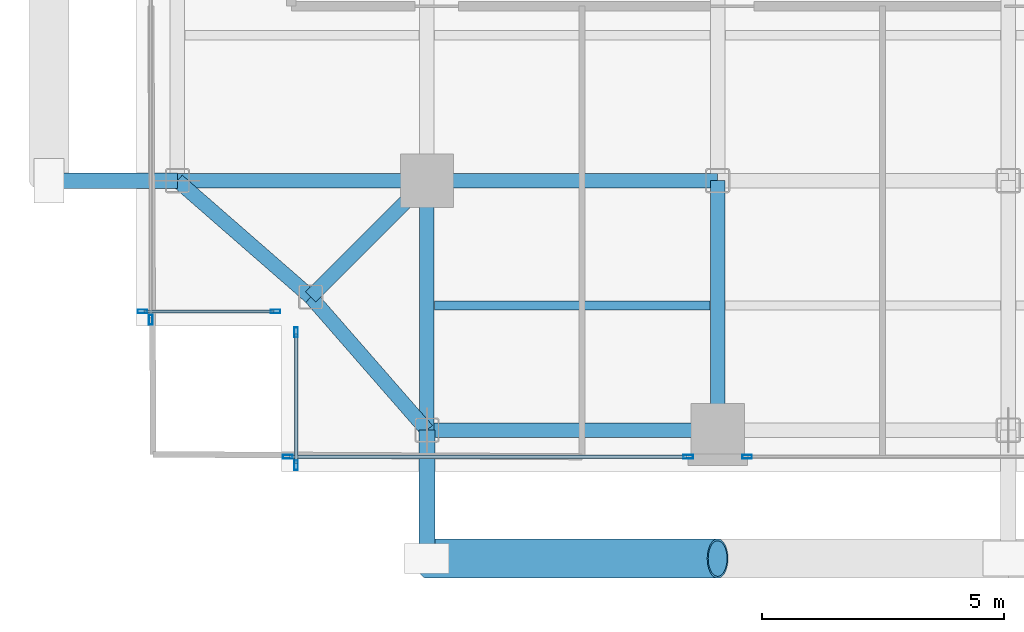
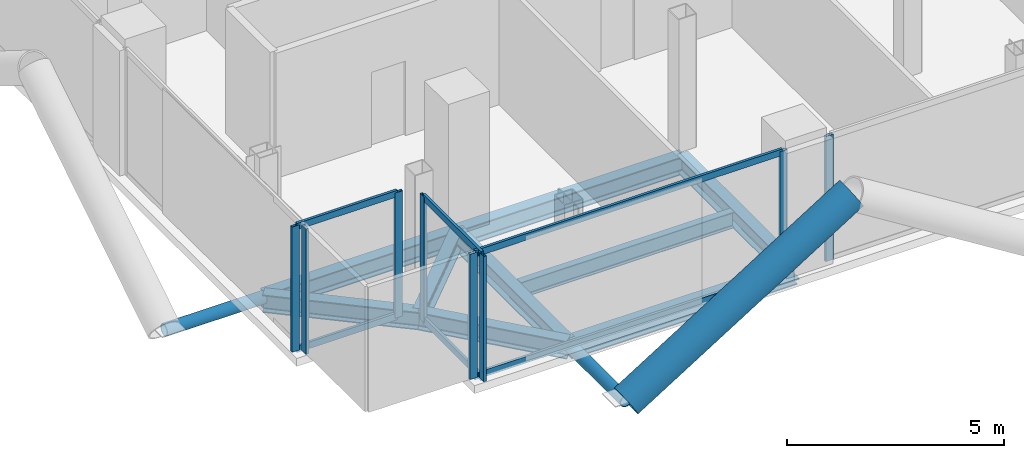
# One storey, part 2 of 28: 17 members, 9 beams, 5 elements without a shape of their own.
"""IFC4 building model written with IfcOpenShell, lengths in metres."""

from ifc_helpers import new_model, si_unit, direction, frame, origin, origin_2d, place, context, subcontext, project, spatial, hollow_rectangle, hollow_circle, i_section, extrude, material, layer, layer_set, material_profile, profile_set, type_object, element, aggregate, save


model = new_model("IFC4")

# Units and contexts
model_context = context("Model", 3, precision=1e-05, world=origin(), true_north=direction((0.0, 1.0)))
body_context = subcontext(model_context, "Body", "Model", "MODEL_VIEW")
ifc_project = project(units=[si_unit("LENGTHUNIT", "METRE"), si_unit("AREAUNIT", "SQUARE_METRE"), si_unit("VOLUMEUNIT", "CUBIC_METRE"), si_unit("PLANEANGLEUNIT", "RADIAN"), si_unit("MASSUNIT", "GRAM", prefix="KILO"), si_unit("THERMODYNAMICTEMPERATUREUNIT", "KELVIN"), si_unit("POWERUNIT", "WATT")], contexts=[model_context])

# Site, building, storey
site_placement = place(None, origin())
site = spatial("IfcSite", under=ifc_project, at=site_placement, CompositionType="ELEMENT")
building_placement = place(site_placement, origin())
building = spatial("IfcBuilding", under=site, at=building_placement, Name="Svarakhadi Broadcast Tower", CompositionType="ELEMENT")
storey_placement = place(building_placement, frame((0.0, 0.0, 149.39990234375)))
storey = spatial("IfcBuildingStorey", under=building, at=storey_placement, Name="L36", CompositionType="ELEMENT", Elevation=149.39990234375)

# Beam
ifc_material_1 = material(Name="Steel S355J2 (IS 2062 E350C)", Category="steel")
ifc_material_profile_1 = material_profile(ifc_material_1, i_section(OverallWidth=0.18994140625, OverallDepth=0.449951171875, WebThickness=0.009521484375, FlangeThickness=0.0146484375, FilletRadius=0.02099609375, at=origin_2d()), Name="NPB 450x190x78")
ifc_profile_set_1 = profile_set([ifc_material_profile_1], Name="Steel S355J2 (IS 2062 E350C)")
beam_type_1 = type_object("IfcBeamType", Name="Beam_NPB450", PredefinedType="BEAM", material=ifc_profile_set_1)
beam_1_placement = place(storey_placement, frame((6.159912109375, 3.425048828125, -0.449951171875), z_axis=(1.0, 0.0, 0.0), x_axis=(0.0, 1.0, 0.0)))
element("IfcBeam", 1, at=beam_1_placement, inside=storey, type_object=beam_type_1, Name="L36 Secondary Composite Beam SB006", PredefinedType="BEAM", context=body_context, shape_type="SweptSolid", body=[
    extrude(i_section(OverallWidth=0.18994140625, OverallDepth=0.449951171875, WebThickness=0.009521484375, FlangeThickness=0.0146484375, FilletRadius=0.02099609375, at=origin_2d()), origin(), (0.0, 0.0, 1.0), 5.68017578125),
])

# Curtain wall, members
ifc_material_2 = material(Name="Anodised Bronze Aluminium AA 6063-T6", Category="aluminium")
ifc_layer = layer(ifc_material_2, 0.199951171875)
ifc_layer_set = layer_set([ifc_layer], Name="Anodised Bronze Aluminium AA 6063-T6")
curtain_wall_type = type_object("IfcCurtainWallType", Name="CW_Sys_03", PredefinedType="NOTDEFINED", material=ifc_layer_set)
curtain_wall_1_placement = place(storey_placement, origin())
curtain_wall_1 = element("IfcCurtainWall", 2, at=curtain_wall_1_placement, inside=storey, type_object=curtain_wall_type, Name="L36 Unitised Facade Curtain Wall 01", PredefinedType="NOTDEFINED")
ifc_material_profile_2 = material_profile(ifc_material_2, hollow_rectangle(XDim=0.074951171875, YDim=0.199951171875, WallThickness=0.005615234375, at=origin_2d()), Name="ALU MULLION 200x75x6")
ifc_profile_set_2 = profile_set([ifc_material_profile_2], Name="Anodised Bronze Aluminium AA 6063-T6")
member_type_1 = type_object("IfcMemberType", Name="CW_Sys_03_Mul", PredefinedType="MULLION", material=ifc_profile_set_2)
member_1_placement = place(storey_placement, frame((2.87255859375, 3.300048828125, 0.0), z_axis=(0.0, 0.0, 1.0), x_axis=(0.0, -1.0, 0.0)))
member_1 = element("IfcMember", 3, at=member_1_placement, type_object=member_type_1, Name="CW-03 mullion 1", PredefinedType="MULLION", context=body_context, shape_type="SweptSolid", body=[
    extrude(hollow_rectangle(XDim=0.074951171875, YDim=0.199951171875, WallThickness=0.005615234375, at=origin_2d()), origin(), (0.0, 0.0, 1.0), 3.525146484375),
])
member_2_placement = place(storey_placement, frame((0.12744140625, 3.300048828125, 0.0), z_axis=(0.0, 0.0, 1.0), x_axis=(0.0, -1.0, 0.0)))
member_2 = element("IfcMember", 4, at=member_2_placement, type_object=member_type_1, Name="CW-03 mullion 2", PredefinedType="MULLION", context=body_context, shape_type="SweptSolid", body=[
    extrude(hollow_rectangle(XDim=0.074951171875, YDim=0.199951171875, WallThickness=0.005615234375, at=origin_2d()), origin(), (0.0, 0.0, 1.0), 3.525146484375),
])

# Curtain wall, member
curtain_wall_2_placement = place(storey_placement, origin())
curtain_wall_2 = element("IfcCurtainWall", 5, at=curtain_wall_2_placement, inside=storey, type_object=curtain_wall_type, Name="L36 West Curtain Wall 02 Bay 1", PredefinedType="NOTDEFINED")
member_3_placement = place(storey_placement, frame((0.300048828125, 3.12744140625, 0.0), z_axis=(0.0, 0.0, 1.0), x_axis=(-1.0, 0.0, 0.0)))
member_3 = element("IfcMember", 6, at=member_3_placement, type_object=member_type_1, Name="CW-03 mullion 1", PredefinedType="MULLION", context=body_context, shape_type="SweptSolid", body=[
    extrude(hollow_rectangle(XDim=0.074951171875, YDim=0.199951171875, WallThickness=0.005615234375, at=origin_2d()), origin(), (0.0, 0.0, 1.0), 3.525146484375),
])
aggregate(curtain_wall_2, [member_3])

curtain_wall_3_placement = place(storey_placement, origin())
curtain_wall_3 = element("IfcCurtainWall", 7, at=curtain_wall_3_placement, inside=storey, type_object=curtain_wall_type, Name="L36 South Curtain Wall 17 Bay 3", PredefinedType="NOTDEFINED")
member_4_placement = place(storey_placement, frame((12.607421875, 0.300048828125, 0.0), z_axis=(0.0, 0.0, 1.0), x_axis=(0.0, -1.0, 0.0)))
member_4 = element("IfcMember", 8, at=member_4_placement, type_object=member_type_1, Name="CW-03 mullion 2", PredefinedType="MULLION", context=body_context, shape_type="SweptSolid", body=[
    extrude(hollow_rectangle(XDim=0.074951171875, YDim=0.199951171875, WallThickness=0.005615234375, at=origin_2d()), origin(), (0.0, 0.0, 1.0), 3.525146484375),
])
aggregate(curtain_wall_3, [member_4])

# Curtain wall, members
curtain_wall_4_placement = place(storey_placement, origin())
curtain_wall_4 = element("IfcCurtainWall", 9, at=curtain_wall_4_placement, inside=storey, type_object=curtain_wall_type, Name="L36 South Curtain Wall 17 Bay 4", PredefinedType="NOTDEFINED")
member_5_placement = place(storey_placement, frame((11.392578125, 0.300048828125, 0.0), z_axis=(0.0, 0.0, 1.0), x_axis=(0.0, -1.0, 0.0)))
member_5 = element("IfcMember", 10, at=member_5_placement, type_object=member_type_1, Name="CW-03 mullion 1", PredefinedType="MULLION", context=body_context, shape_type="SweptSolid", body=[
    extrude(hollow_rectangle(XDim=0.074951171875, YDim=0.199951171875, WallThickness=0.005615234375, at=origin_2d()), origin(), (0.0, 0.0, 1.0), 3.525146484375),
])
member_6_placement = place(storey_placement, frame((3.12744140625, 0.300048828125, 0.0), z_axis=(0.0, 0.0, 1.0), x_axis=(0.0, -1.0, 0.0)))
member_6 = element("IfcMember", 11, at=member_6_placement, type_object=member_type_1, Name="CW-03 mullion 2", PredefinedType="MULLION", context=body_context, shape_type="SweptSolid", body=[
    extrude(hollow_rectangle(XDim=0.074951171875, YDim=0.199951171875, WallThickness=0.005615234375, at=origin_2d()), origin(), (0.0, 0.0, 1.0), 3.525146484375),
])

curtain_wall_5_placement = place(storey_placement, origin())
curtain_wall_5 = element("IfcCurtainWall", 12, at=curtain_wall_5_placement, inside=storey, type_object=curtain_wall_type, Name="L36 Unitised Facade Curtain Wall 18", PredefinedType="NOTDEFINED")
member_7_placement = place(storey_placement, frame((3.300048828125, 0.12744140625, 0.0), z_axis=(0.0, 0.0, 1.0), x_axis=(-1.0, 0.0, 0.0)))
member_7 = element("IfcMember", 13, at=member_7_placement, type_object=member_type_1, Name="CW-03 mullion 1", PredefinedType="MULLION", context=body_context, shape_type="SweptSolid", body=[
    extrude(hollow_rectangle(XDim=0.074951171875, YDim=0.199951171875, WallThickness=0.005615234375, at=origin_2d()), origin(), (0.0, 0.0, 1.0), 3.525146484375),
])
member_8_placement = place(storey_placement, frame((3.300048828125, 2.87255859375, 0.0), z_axis=(0.0, 0.0, 1.0), x_axis=(-1.0, 0.0, 0.0)))
member_8 = element("IfcMember", 14, at=member_8_placement, type_object=member_type_1, Name="CW-03 mullion 2", PredefinedType="MULLION", context=body_context, shape_type="SweptSolid", body=[
    extrude(hollow_rectangle(XDim=0.074951171875, YDim=0.199951171875, WallThickness=0.005615234375, at=origin_2d()), origin(), (0.0, 0.0, 1.0), 3.525146484375),
])

# Member
ifc_material_profile_3 = material_profile(ifc_material_2, hollow_rectangle(XDim=0.070068359375, YDim=0.18505859375, WallThickness=0.0048828125, at=origin_2d()), Name="ALU TRANSOM 185x70x5")
ifc_profile_set_3 = profile_set([ifc_material_profile_3], Name="Anodised Bronze Aluminium AA 6063-T6")
member_type_2 = type_object("IfcMemberType", Name="CW_Sys_03_Trn", PredefinedType="USERDEFINED", material=ifc_profile_set_3)
member_9_placement = place(storey_placement, frame((2.8349609375, 3.300048828125, 0.03515625), z_axis=(-1.0, 0.0, 0.0), x_axis=(0.0, -1.0, 0.0)))
member_9 = element("IfcMember", 15, at=member_9_placement, type_object=member_type_2, Name="CW-03 transom 1.1", ObjectType="TRANSOM", PredefinedType="USERDEFINED", context=body_context, shape_type="SweptSolid", body=[
    extrude(hollow_rectangle(XDim=0.070068359375, YDim=0.18505859375, WallThickness=0.0048828125, at=origin_2d()), origin(), (0.0, 0.0, 1.0), 2.669921875),
])

member_10_placement = place(storey_placement, frame((2.8349609375, 3.300048828125, 3.489990234375), z_axis=(-1.0, 0.0, 0.0), x_axis=(0.0, -1.0, 0.0)))
member_10 = element("IfcMember", 16, at=member_10_placement, type_object=member_type_2, Name="CW-03 transom 1.2", ObjectType="TRANSOM", PredefinedType="USERDEFINED", context=body_context, shape_type="SweptSolid", body=[
    extrude(hollow_rectangle(XDim=0.070068359375, YDim=0.18505859375, WallThickness=0.0048828125, at=origin_2d()), origin(), (0.0, 0.0, 1.0), 2.669921875),
])

aggregate(curtain_wall_1, [member_1, member_2, member_9, member_10])

member_11_placement = place(storey_placement, frame((11.35498046875, 0.300048828125, 0.03515625), z_axis=(-1.0, 0.0, 0.0), x_axis=(0.0, -1.0, 0.0)))
member_11 = element("IfcMember", 17, at=member_11_placement, type_object=member_type_2, Name="CW-03 transom 1.1", ObjectType="TRANSOM", PredefinedType="USERDEFINED", context=body_context, shape_type="SweptSolid", body=[
    extrude(hollow_rectangle(XDim=0.070068359375, YDim=0.18505859375, WallThickness=0.0048828125, at=origin_2d()), origin(), (0.0, 0.0, 1.0), 8.18994140625),
])

member_12_placement = place(storey_placement, frame((11.35498046875, 0.300048828125, 3.489990234375), z_axis=(-1.0, 0.0, 0.0), x_axis=(0.0, -1.0, 0.0)))
member_12 = element("IfcMember", 18, at=member_12_placement, type_object=member_type_2, Name="CW-03 transom 1.2", ObjectType="TRANSOM", PredefinedType="USERDEFINED", context=body_context, shape_type="SweptSolid", body=[
    extrude(hollow_rectangle(XDim=0.070068359375, YDim=0.18505859375, WallThickness=0.0048828125, at=origin_2d()), origin(), (0.0, 0.0, 1.0), 8.18994140625),
])

aggregate(curtain_wall_4, [member_5, member_6, member_11, member_12])

member_13_placement = place(storey_placement, frame((3.300048828125, 0.1650390625, 0.03515625), z_axis=(0.0, 1.0, 0.0), x_axis=(-1.0, 0.0, 0.0)))
member_13 = element("IfcMember", 19, at=member_13_placement, type_object=member_type_2, Name="CW-03 transom 1.1", ObjectType="TRANSOM", PredefinedType="USERDEFINED", context=body_context, shape_type="SweptSolid", body=[
    extrude(hollow_rectangle(XDim=0.070068359375, YDim=0.18505859375, WallThickness=0.0048828125, at=origin_2d()), origin(), (0.0, 0.0, 1.0), 2.669921875),
])

member_14_placement = place(storey_placement, frame((3.300048828125, 0.1650390625, 3.489990234375), z_axis=(0.0, 1.0, 0.0), x_axis=(-1.0, 0.0, 0.0)))
member_14 = element("IfcMember", 20, at=member_14_placement, type_object=member_type_2, Name="CW-03 transom 1.2", ObjectType="TRANSOM", PredefinedType="USERDEFINED", context=body_context, shape_type="SweptSolid", body=[
    extrude(hollow_rectangle(XDim=0.070068359375, YDim=0.18505859375, WallThickness=0.0048828125, at=origin_2d()), origin(), (0.0, 0.0, 1.0), 2.669921875),
])

aggregate(curtain_wall_5, [member_7, member_8, member_13, member_14])

# Members
ifc_material_3 = material(Name="Steel S460ML (IS 2062 E450BR)", Category="steel")
ifc_material_profile_4 = material_profile(ifc_material_3, hollow_circle(Radius=0.406494140625, WallThickness=0.0400390625, at=origin_2d()), Name="CHS 813x40")
ifc_profile_set_4 = profile_set([ifc_material_profile_4], Name="Steel S460ML (IS 2062 E450BR)")
member_type_3 = type_object("IfcMemberType", Name="Exo_Brace_CHS813", PredefinedType="BRACE", material=ifc_profile_set_4)
member_15_placement = place(storey_placement, frame((6.0, -1.800048828125, -0.386962890625), z_axis=(0.847998304005, 0.0, 0.529998940003), x_axis=(0.0, 1.0, 0.0)))
element("IfcMember", 21, at=member_15_placement, inside=storey, type_object=member_type_3, Name="L36 Exposed Bronze Exoskeleton Diagonal S01", PredefinedType="BRACE", context=body_context, shape_type="SweptSolid", body=[
    extrude(hollow_circle(Radius=0.406494140625, WallThickness=0.0400390625, at=origin_2d()), origin(), (0.0, 0.0, 1.0), 7.075439453125),
])
ifc_material_profile_5 = material_profile(ifc_material_3, hollow_circle(Radius=0.161865234375, WallThickness=0.01611328125, at=origin_2d()), Name="CHS 323.9x16")
ifc_profile_set_5 = profile_set([ifc_material_profile_5], Name="Steel S460ML (IS 2062 E450BR)")
member_type_4 = type_object("IfcMemberType", Name="Exo_Radial_Strut_Z2", PredefinedType="STRUT", material=ifc_profile_set_5)
for number, where, z_axis, x_axis, name in (
    (22, (6.0, -1.800048828125, -0.386962890625), (0.0, 1.0, 0.0), (-1.0, 0.0, 0.0), "L36 Exoskeleton Radial Tie Strut S01"),
    (23, (-1.800048828125, 6.0, -0.386962890625), (1.0, 0.0, 0.0), (0.0, 1.0, 0.0), "L36 Exoskeleton Radial Tie Strut W05"),
):
    element("IfcMember", number, at=place(storey_placement, frame(where, z_axis=z_axis, x_axis=x_axis)), inside=storey, type_object=member_type_4, Name=name, PredefinedType="STRUT", context=body_context, shape_type="SweptSolid", body=[
        extrude(hollow_circle(Radius=0.161865234375, WallThickness=0.01611328125, at=origin_2d()), origin(), (0.0, 0.0, 1.0), 2.650146484375),
    ])

# Beams
ifc_material_profile_6 = material_profile(ifc_material_1, i_section(OverallWidth=0.300048828125, OverallDepth=0.5, WebThickness=0.014404296875, FlangeThickness=0.028076171875, FilletRadius=0.027099609375, at=origin_2d()), Name="WPB 500x300x187")
ifc_profile_set_6 = profile_set([ifc_material_profile_6], Name="Steel S355J2 (IS 2062 E350C)")
beam_type_2 = type_object("IfcBeamType", Name="Girder_WPB500", PredefinedType="USERDEFINED", material=ifc_profile_set_6)
beam_2_placement = place(storey_placement, frame((3.60009765625, 3.60009765625, -0.474853515625), z_axis=(0.707106781187, 0.707106781187, 0.0), x_axis=(-0.707106781187, 0.707106781187, 0.0)))
element("IfcBeam", 24, at=beam_2_placement, inside=storey, type_object=beam_type_2, Name="L36 Corner Tie Girder G001", ObjectType="GIRDER", PredefinedType="USERDEFINED", context=body_context, shape_type="SweptSolid", body=[
    extrude(i_section(OverallWidth=0.300048828125, OverallDepth=0.5, WebThickness=0.014404296875, FlangeThickness=0.028076171875, FilletRadius=0.027099609375, at=origin_2d()), origin(), (0.0, 0.0, 1.0), 3.39404296875),
])
for number, where, z_axis, x_axis, name in (
    (25, (3.60009765625, 3.60009765625, -0.474853515625), (-0.753437912176, 0.657519058655, 0.0), (-0.657519058655, -0.753437912176, 0.0), "L36 Corner Tie Girder G002"),
    (26, (3.60009765625, 3.60009765625, -0.474853515625), (0.657519058655, -0.753437912176, 0.0), (0.753437912176, 0.657519058655, 0.0), "L36 Corner Tie Girder G003"),
):
    element("IfcBeam", number, at=place(storey_placement, frame(where, z_axis=z_axis, x_axis=x_axis)), inside=storey, type_object=beam_type_2, Name=name, ObjectType="GIRDER", PredefinedType="USERDEFINED", context=body_context, shape_type="SweptSolid", body=[
        extrude(i_section(OverallWidth=0.300048828125, OverallDepth=0.5, WebThickness=0.014404296875, FlangeThickness=0.028076171875, FilletRadius=0.027099609375, at=origin_2d()), origin(), (0.0, 0.0, 1.0), 3.64990234375),
    ])
beam_3_placement = place(storey_placement, frame((6.0, 0.85009765625, -0.474853515625), z_axis=(1.0, 0.0, 0.0), x_axis=(0.0, 1.0, 0.0)))
element("IfcBeam", 27, at=beam_3_placement, inside=storey, type_object=beam_type_2, Name="L36 Primary E-W Girder G004", ObjectType="GIRDER", PredefinedType="USERDEFINED", context=body_context, shape_type="SweptSolid", body=[
    extrude(i_section(OverallWidth=0.300048828125, OverallDepth=0.5, WebThickness=0.014404296875, FlangeThickness=0.028076171875, FilletRadius=0.027099609375, at=origin_2d()), origin(), (0.0, 0.0, 1.0), 6.0),
])
beam_4_placement = place(storey_placement, frame((0.85009765625, 6.0, -0.474853515625), z_axis=(1.0, 0.0, 0.0), x_axis=(0.0, 1.0, 0.0)))
element("IfcBeam", 28, at=beam_4_placement, inside=storey, type_object=beam_type_2, Name="L36 Primary E-W Girder G010", ObjectType="GIRDER", PredefinedType="USERDEFINED", context=body_context, shape_type="SweptSolid", body=[
    extrude(i_section(OverallWidth=0.300048828125, OverallDepth=0.5, WebThickness=0.014404296875, FlangeThickness=0.028076171875, FilletRadius=0.027099609375, at=origin_2d()), origin(), (0.0, 0.0, 1.0), 5.14990234375),
])
beam_5_placement = place(storey_placement, frame((6.0, 6.0, -0.474853515625), z_axis=(1.0, 0.0, 0.0), x_axis=(0.0, 1.0, 0.0)))
element("IfcBeam", 29, at=beam_5_placement, inside=storey, type_object=beam_type_2, Name="L36 Primary E-W Girder G011", ObjectType="GIRDER", PredefinedType="USERDEFINED", context=body_context, shape_type="SweptSolid", body=[
    extrude(i_section(OverallWidth=0.300048828125, OverallDepth=0.5, WebThickness=0.014404296875, FlangeThickness=0.028076171875, FilletRadius=0.027099609375, at=origin_2d()), origin(), (0.0, 0.0, 1.0), 6.0),
])
for number, where, z_axis, x_axis, name in (
    (30, (6.0, 0.85009765625, -0.474853515625), (0.0, 1.0, 0.0), (-1.0, 0.0, 0.0), "L36 Primary N-S Girder G045"),
    (31, (12.0, 0.85009765625, -0.474853515625), (0.0, 1.0, 0.0), (-1.0, 0.0, 0.0), "L36 Primary N-S Girder G051"),
):
    element("IfcBeam", number, at=place(storey_placement, frame(where, z_axis=z_axis, x_axis=x_axis)), inside=storey, type_object=beam_type_2, Name=name, ObjectType="GIRDER", PredefinedType="USERDEFINED", context=body_context, shape_type="SweptSolid", body=[
        extrude(i_section(OverallWidth=0.300048828125, OverallDepth=0.5, WebThickness=0.014404296875, FlangeThickness=0.028076171875, FilletRadius=0.027099609375, at=origin_2d()), origin(), (0.0, 0.0, 1.0), 5.14990234375),
    ])

save(model, "model.ifc")
